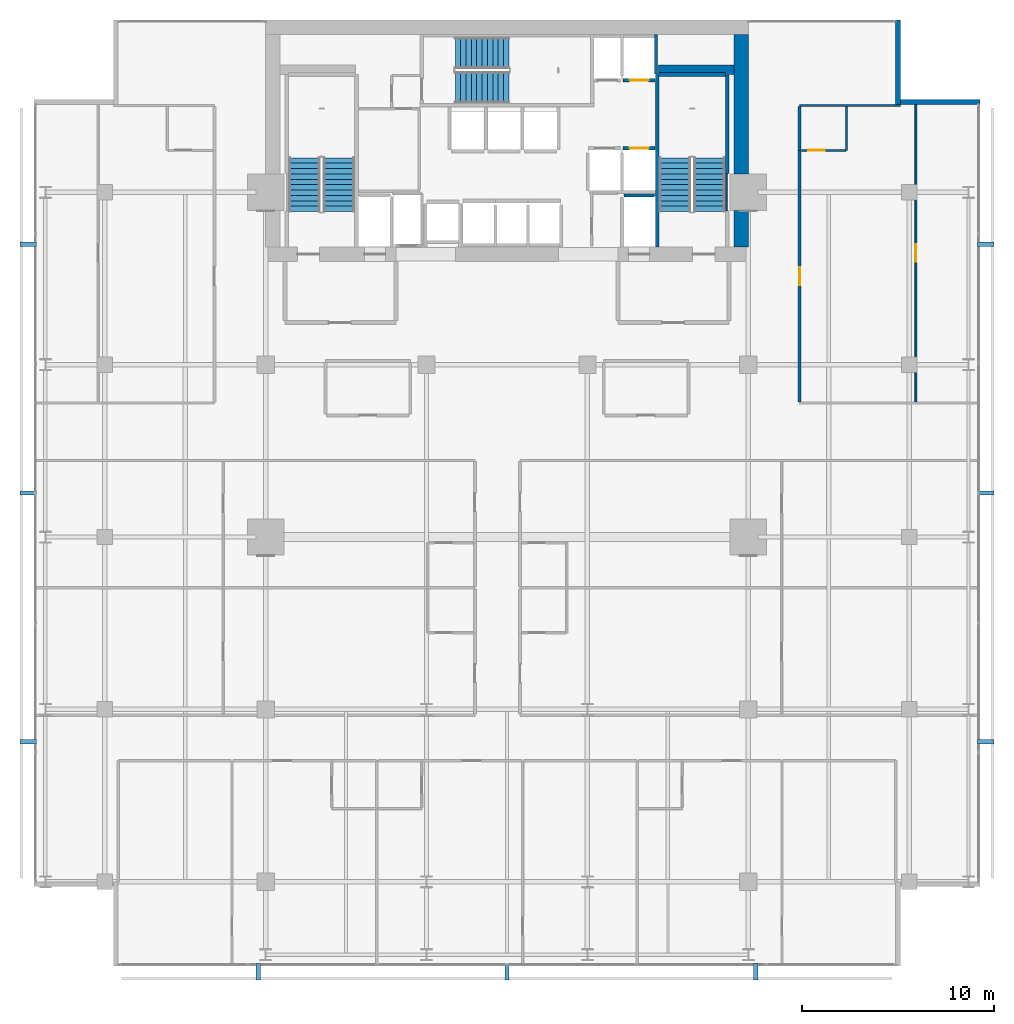
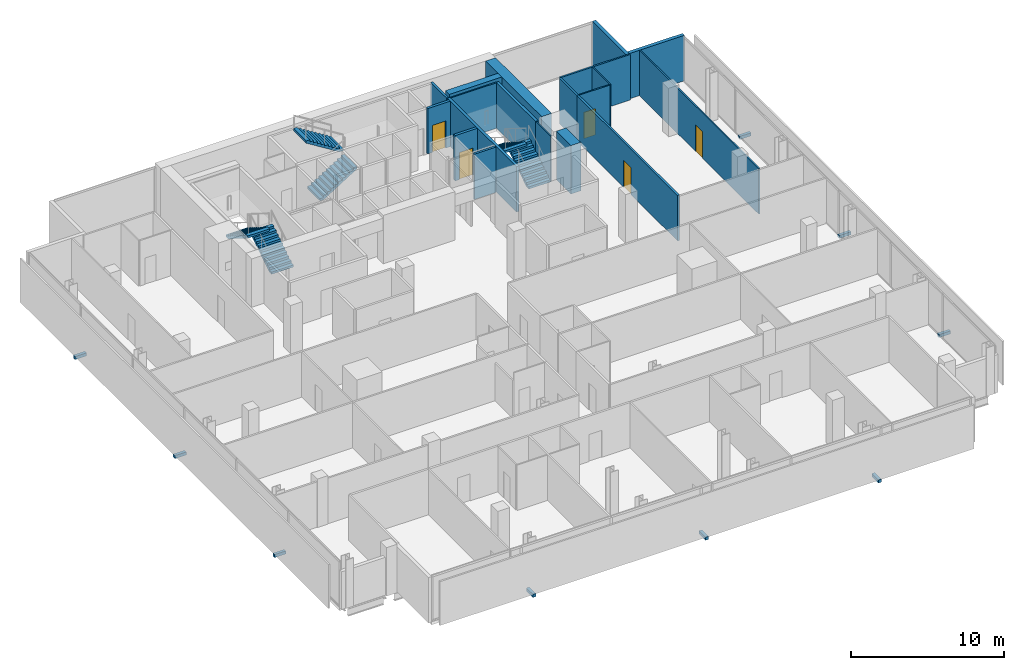
# One storey, part 30 of 32: 19 walls, 9 discrete accessories, 6 stair flights, 5 doors, 5 openings, 3 elements without a shape of their own.
"""IFC4 building model written with IfcOpenShell, lengths in metres."""

from ifc_helpers import new_model, si_unit, direction, frame, frame_2d, origin, origin_2d, place, context, subcontext, project, spatial, polyline, rectangle, outline, extrude, material, layer, layer_set, type_object, element, fill, aggregate, save


model = new_model("IFC4")

# Units and contexts
model_context = context("Model", 3, precision=1e-05, world=origin(), true_north=direction((0.0, 1.0)))
body_context = subcontext(model_context, "Body", "Model", "MODEL_VIEW")
ifc_project = project(units=[si_unit("LENGTHUNIT", "METRE"), si_unit("AREAUNIT", "SQUARE_METRE"), si_unit("VOLUMEUNIT", "CUBIC_METRE"), si_unit("PLANEANGLEUNIT", "RADIAN"), si_unit("MASSUNIT", "GRAM", prefix="KILO")], contexts=[model_context])

# Site, building, storey
site_placement = place(None, origin())
site = spatial("IfcSite", under=ifc_project, at=site_placement, CompositionType="ELEMENT")
building_placement = place(site_placement, origin())
building = spatial("IfcBuilding", under=site, at=building_placement, Name="Maruvema Waterfront Hotel and Observation Tower", CompositionType="ELEMENT")
storey_placement = place(building_placement, frame((0.0, 0.0, 165.89990234375)))
storey = spatial("IfcBuildingStorey", under=building, at=storey_placement, Name="L40", CompositionType="ELEMENT", Elevation=165.89990234375)

# Wall, opening, door
ifc_material_1 = material(Name="Twin-stud acoustic gypsum drywall", Category="gypsum")
ifc_layer_1 = layer(ifc_material_1, 0.14990234375, Name="Acoustic Corridor and Suite Demising Wall 150 mm")
ifc_layer_set_1 = layer_set([ifc_layer_1], Name="Twin-stud acoustic gypsum drywall")
wall_type_1 = type_object("IfcWallType", Name="Acoustic Corridor and Suite Demising Wall 150 mm", PredefinedType="PARTITIONING", material=ifc_layer_set_1)
wall_1_placement = place(storey_placement, frame((53.080078125, 34.06005859375, 0.0), z_axis=(0.0, 0.0, 1.0), x_axis=(0.0, 1.0, 0.0)))
wall_1 = element("IfcWall", 1, at=wall_1_placement, inside=storey, type_object=wall_type_1, Name="L40 Room L40-NE1 Corridor Wall 082", PredefinedType="PARTITIONING", context=body_context, shape_type="SweptSolid", body=[
    extrude(rectangle(XDim=13.12744140625, YDim=0.14990234375, at=frame_2d((6.563720703125, 0.0))), origin(), (0.0, 0.0, 1.0), 3.610107421875),
])
opening_1_placement = place(wall_1_placement, frame((6.088623046875, 0.0, 0.0)))
opening_1 = element("IfcOpeningElement", 2, at=opening_1_placement, cuts=wall_1, Name="Opening DR-095", PredefinedType="OPENING", context=body_context, shape_type="SweptSolid", body=[
    extrude(rectangle(XDim=0.949951171875, YDim=2.14990234375, at=frame_2d((0.47509765625, 1.074951171875))), frame((0.0, 0.0849609375, 0.0), z_axis=(0.0, -1.0, 0.0), x_axis=(1.0, 0.0, 0.0)), (0.0, 0.0, 1.0), 0.169921875),
])
ifc_material_2 = material(Name="Acoustic solid-core hardwood timber leaf", Category="wood")
door_type_1 = type_object("IfcDoorType", Name="Guestroom Entrance Fire Door 950x2150 mm", OperationType="NOTDEFINED", PredefinedType="DOOR", material=ifc_material_2)
door_1_placement = place(opening_1_placement, frame((0.949951171875, 0.0, 0.0), z_axis=(0.0, 0.0, 1.0), x_axis=(-1.0, 0.0, 0.0)))
door_1 = element("IfcDoor", 3, at=door_1_placement, inside=storey, type_object=door_type_1, Name="L40 Room L40-NE1 Entrance Door", OperationType="SINGLE_SWING_RIGHT", OverallHeight=2.14990234375, OverallWidth=0.949951171875, PredefinedType="DOOR", context=body_context, shape_type="SweptSolid", body=[
    extrude(rectangle(XDim=0.949951171875, YDim=2.14990234375, at=frame_2d((0.47509765625, 1.074951171875))), frame((0.0, 0.02490234375, 0.0), z_axis=(0.0, -1.0, 0.0), x_axis=(1.0, 0.0, 0.0)), (0.0, 0.0, 1.0), 0.050048828125),
])
fill(opening_1, door_1)

# Walls
wall_2_placement = place(storey_placement, frame((53.080078125, 47.1875, 0.0), z_axis=(0.0, 0.0, 1.0), x_axis=(0.0, 1.0, 0.0)))
element("IfcWall", 4, at=wall_2_placement, inside=storey, type_object=wall_type_1, Name="L40 Bath L40-NE1 Wall 083", PredefinedType="PARTITIONING", context=body_context, shape_type="SweptSolid", body=[
    extrude(rectangle(XDim=2.2900390625, YDim=0.14990234375, at=frame_2d((1.14501953125, 0.0))), origin(), (0.0, 0.0, 1.0), 3.610107421875),
])
ifc_material_3 = material(Name="Precast concrete C45/55", Category="concrete")
ifc_layer_2 = layer(ifc_material_3, 0.199951171875, Name="Core Shaft and Stairwell Enclosure Wall 200 mm")
ifc_layer_set_2 = layer_set([ifc_layer_2], Name="Precast concrete C45/55")
wall_type_2 = type_object("IfcWallType", Name="Core Shaft and Stairwell Enclosure Wall 200 mm", PredefinedType="SOLIDWALL", material=ifc_layer_set_2)
wall_3_placement = place(storey_placement, frame((45.64990234375, 42.14990234375, 0.0), z_axis=(0.0, 0.0, 1.0), x_axis=(0.0, 1.0, 0.0)))
element("IfcWall", 5, at=wall_3_placement, inside=storey, type_object=wall_type_2, Name="L40 Stairwell ST-03 West Shaft Wall", PredefinedType="SOLIDWALL", context=body_context, shape_type="SweptSolid", body=[
    extrude(rectangle(XDim=9.0, YDim=0.199951171875, at=frame_2d((4.5, 0.0))), origin(), (0.0, 0.0, 1.0), 3.610107421875),
])
wall_4_placement = place(storey_placement, frame((49.300048828125, 45.97998046875, 0.0), z_axis=(0.0, 0.0, 1.0), x_axis=(0.0, 1.0, 0.0)))
element("IfcWall", 6, at=wall_4_placement, inside=storey, type_object=wall_type_2, Name="L40 Stairwell ST-03 Shaft Lining Wall", PredefinedType="SOLIDWALL", context=body_context, shape_type="SweptSolid", body=[
    extrude(rectangle(XDim=5.14013671875, YDim=0.199951171875, at=frame_2d((2.570068359375, 0.0))), origin(), (0.0, 0.0, 1.0), 3.610107421875),
])
wall_5_placement = place(storey_placement, frame((45.719970703125, 51.14990234375, 0.0), z_axis=(0.0, 0.0, 1.0), x_axis=(1.0, 0.0, 0.0)))
element("IfcWall", 7, at=wall_5_placement, inside=storey, type_object=wall_type_2, Name="L40 Stairwell ST-03 Shaft Lining Wall", PredefinedType="SOLIDWALL", context=body_context, shape_type="SweptSolid", body=[
    extrude(rectangle(XDim=3.5, YDim=0.199951171875, at=frame_2d((1.75, 0.0))), origin(), (0.0, 0.0, 1.0), 3.610107421875),
])

# Wall, opening, door
wall_6_placement = place(storey_placement, frame((43.860107421875, 47.300048828125, 0.0), z_axis=(0.0, 0.0, 1.0), x_axis=(1.0, 0.0, 0.0)))
wall_6 = element("IfcWall", 8, at=wall_6_placement, inside=storey, type_object=wall_type_2, Name="L40 Lift LF-06 Hoistway Front Wall", PredefinedType="SOLIDWALL", context=body_context, shape_type="SweptSolid", body=[
    extrude(rectangle(XDim=1.679931640625, YDim=0.199951171875, at=frame_2d((0.83984375, 0.0))), origin(), (0.0, 0.0, 1.0), 3.610107421875),
])
opening_2_placement = place(wall_6_placement, frame((0.340087890625, 0.0, 0.0)))
opening_2 = element("IfcOpeningElement", 9, at=opening_2_placement, cuts=wall_6, Name="Opening LD-01", PredefinedType="OPENING", context=body_context, shape_type="SweptSolid", body=[
    extrude(rectangle(XDim=1.0, YDim=2.14990234375, at=frame_2d((0.5, 1.074951171875))), frame((0.0, 0.10986328125, 0.0), z_axis=(0.0, -1.0, 0.0), x_axis=(1.0, 0.0, 0.0)), (0.0, 0.0, 1.0), 0.219970703125),
])
ifc_material_4 = material(Name="Brushed stainless steel Grade 316", Category="steel")
door_type_2 = type_object("IfcDoorType", Name="Passenger Lift Sliding Landing Door 1000x2150 mm", OperationType="SLIDING_TO_LEFT", PredefinedType="DOOR", material=ifc_material_4)
door_2_placement = place(opening_2_placement, origin())
door_2 = element("IfcDoor", 10, at=door_2_placement, inside=storey, type_object=door_type_2, Name="L40 Lift LF-06 Sliding Landing Door", OperationType="SLIDING_TO_LEFT", OverallHeight=2.14990234375, OverallWidth=1.0, PredefinedType="DOOR", context=body_context, shape_type="SweptSolid", body=[
    extrude(rectangle(XDim=1.0, YDim=2.14990234375, at=frame_2d((0.5, 1.074951171875))), frame((0.0, 0.02490234375, 0.0), z_axis=(0.0, -1.0, 0.0), x_axis=(1.0, 0.0, 0.0)), (0.0, 0.0, 1.0), 0.050048828125),
])
fill(opening_2, door_2)

wall_7_placement = place(storey_placement, frame((43.860107421875, 50.85009765625, 0.0), z_axis=(0.0, 0.0, 1.0), x_axis=(1.0, 0.0, 0.0)))
wall_7 = element("IfcWall", 11, at=wall_7_placement, inside=storey, type_object=wall_type_2, Name="L40 Lift LF-08 Hoistway Front Wall", PredefinedType="SOLIDWALL", context=body_context, shape_type="SweptSolid", body=[
    extrude(rectangle(XDim=1.679931640625, YDim=0.199951171875, at=frame_2d((0.83984375, 0.0))), origin(), (0.0, 0.0, 1.0), 3.610107421875),
])
opening_3_placement = place(wall_7_placement, frame((0.340087890625, 0.0, 0.0)))
opening_3 = element("IfcOpeningElement", 12, at=opening_3_placement, cuts=wall_7, Name="Opening LD-01", PredefinedType="OPENING", context=body_context, shape_type="SweptSolid", body=[
    extrude(rectangle(XDim=1.0, YDim=2.14990234375, at=frame_2d((0.5, 1.074951171875))), frame((0.0, 0.10986328125, 0.0), z_axis=(0.0, -1.0, 0.0), x_axis=(1.0, 0.0, 0.0)), (0.0, 0.0, 1.0), 0.219970703125),
])
door_3_placement = place(opening_3_placement, frame((1.0, 0.0, 0.0), z_axis=(0.0, 0.0, 1.0), x_axis=(-1.0, 0.0, 0.0)))
door_3 = element("IfcDoor", 13, at=door_3_placement, inside=storey, type_object=door_type_2, Name="L40 Lift LF-08 Sliding Landing Door", OperationType="SLIDING_TO_LEFT", OverallHeight=2.14990234375, OverallWidth=1.0, PredefinedType="DOOR", context=body_context, shape_type="SweptSolid", body=[
    extrude(rectangle(XDim=1.0, YDim=2.14990234375, at=frame_2d((0.5, 1.074951171875))), frame((0.0, 0.02490234375, 0.0), z_axis=(0.0, -1.0, 0.0), x_axis=(1.0, 0.0, 0.0)), (0.0, 0.0, 1.0), 0.050048828125),
])
fill(opening_3, door_3)

# Walls
ifc_material_5 = material(Name="Concrete C70/85", Category="concrete")
ifc_layer_3 = layer(ifc_material_5, 0.5, Name="Core Shear Wall 500 mm")
ifc_layer_set_3 = layer_set([ifc_layer_3], Name="Concrete C70/85")
wall_type_3 = type_object("IfcWallType", Name="Core Shear Wall 500 mm", PredefinedType="SHEAR", material=ifc_layer_set_3)
wall_8_placement = place(storey_placement, frame((45.699951171875, 51.39990234375, 0.0), z_axis=(0.0, 0.0, 1.0), x_axis=(1.0, 0.0, 0.0)))
element("IfcWall", 14, at=wall_8_placement, inside=storey, type_object=wall_type_3, Name="L40 Internal Core Shear Wall NE 500 mm", PredefinedType="SHEAR", context=body_context, shape_type="SweptSolid", body=[
    extrude(rectangle(XDim=3.949951171875, YDim=0.5, at=frame_2d((1.97509765625, 0.0))), origin(), (0.0, 0.0, 1.0), 3.85009765625),
])
ifc_material_6 = material(Name="Concrete C70/85", Category="concrete")
ifc_layer_4 = layer(ifc_material_6, 0.75, Name="Core Shear Wall 750 mm")
ifc_layer_set_4 = layer_set([ifc_layer_4], Name="Concrete C70/85")
wall_type_4 = type_object("IfcWallType", Name="Core Shear Wall 750 mm", PredefinedType="SHEAR", material=ifc_layer_set_4)
wall_9_placement = place(storey_placement, frame((50.02490234375, 42.14990234375, 0.0), z_axis=(0.0, 0.0, 1.0), x_axis=(0.0, 1.0, 0.0)))
element("IfcWall", 15, at=wall_9_placement, inside=storey, type_object=wall_type_4, Name="L40 East-South Core Shear Wall", PredefinedType="SHEAR", context=body_context, shape_type="SweptSolid", body=[
    extrude(rectangle(XDim=1.900146484375, YDim=0.75, at=frame_2d((0.9501953125, 0.0))), origin(), (0.0, 0.0, 1.0), 3.85009765625),
])
wall_10_placement = place(storey_placement, frame((50.02490234375, 45.949951171875, 0.0), z_axis=(0.0, 0.0, 1.0), x_axis=(0.0, 1.0, 0.0)))
element("IfcWall", 16, at=wall_10_placement, inside=storey, type_object=wall_type_4, Name="L40 East-North Core Shear Wall", PredefinedType="SHEAR", context=body_context, shape_type="SweptSolid", body=[
    extrude(rectangle(XDim=7.300048828125, YDim=0.75, at=frame_2d((3.64990234375, 0.0))), origin(), (0.0, 0.0, 1.0), 3.85009765625),
])
ifc_material_7 = material(Name="Moisture-resistant cement-board drywall", Category="gypsum")
ifc_layer_5 = layer(ifc_material_7, 0.10009765625, Name="En-Suite Moisture-Resistant Partition 100 mm")
ifc_layer_set_5 = layer_set([ifc_layer_5], Name="Moisture-resistant cement-board drywall")
wall_type_5 = type_object("IfcWallType", Name="En-Suite Moisture-Resistant Partition 100 mm", PredefinedType="PARTITIONING", material=ifc_layer_set_5)
wall_11_placement = place(storey_placement, frame((55.530029296875, 47.1875, 0.0), z_axis=(0.0, 0.0, 1.0), x_axis=(0.0, 1.0, 0.0)))
element("IfcWall", 17, at=wall_11_placement, inside=storey, type_object=wall_type_5, Name="L40 En-Suite L40-NE1 E 084", PredefinedType="PARTITIONING", context=body_context, shape_type="SweptSolid", body=[
    extrude(rectangle(XDim=2.2900390625, YDim=0.10009765625, at=frame_2d((1.14501953125, 0.0))), origin(), (0.0, 0.0, 1.0), 3.610107421875),
])

# Wall, opening, door
wall_12_placement = place(storey_placement, frame((53.179931640625, 47.1875, 0.0), z_axis=(0.0, 0.0, 1.0), x_axis=(1.0, 0.0, 0.0)))
wall_12 = element("IfcWall", 18, at=wall_12_placement, inside=storey, type_object=wall_type_5, Name="L40 En-Suite L40-NE1 S 085", PredefinedType="PARTITIONING", context=body_context, shape_type="SweptSolid", body=[
    extrude(rectangle(XDim=2.300048828125, YDim=0.10009765625, at=frame_2d((1.14990234375, 0.0))), origin(), (0.0, 0.0, 1.0), 3.610107421875),
])
opening_4_placement = place(wall_12_placement, frame((0.35009765625, 0.0, 0.0)))
opening_4 = element("IfcOpeningElement", 19, at=opening_4_placement, cuts=wall_12, Name="Opening DR-085", PredefinedType="OPENING", context=body_context, shape_type="SweptSolid", body=[
    extrude(rectangle(XDim=0.85009765625, YDim=2.10009765625, at=frame_2d((0.425048828125, 1.050048828125))), frame((0.0, 0.06005859375, 0.0), z_axis=(0.0, -1.0, 0.0), x_axis=(1.0, 0.0, 0.0)), (0.0, 0.0, 1.0), 0.1201171875),
])
ifc_material_8 = material(Name="Moisture-resistant solid timber leaf", Category="wood")
door_type_3 = type_object("IfcDoorType", Name="En-Suite Bathroom Door 850x2100 mm", OperationType="NOTDEFINED", PredefinedType="DOOR", material=ifc_material_8)
door_4_placement = place(opening_4_placement, frame((0.85009765625, 0.0, 0.0), z_axis=(0.0, 0.0, 1.0), x_axis=(-1.0, 0.0, 0.0)))
door_4 = element("IfcDoor", 20, at=door_4_placement, inside=storey, type_object=door_type_3, Name="L40 En-Suite L40-NE1 Door", OperationType="SINGLE_SWING_LEFT", OverallHeight=2.10009765625, OverallWidth=0.85009765625, PredefinedType="DOOR", context=body_context, shape_type="SweptSolid", body=[
    extrude(rectangle(XDim=0.85009765625, YDim=2.10009765625, at=frame_2d((0.425048828125, 1.050048828125))), frame((0.0, 0.02490234375, 0.0), z_axis=(0.0, -1.0, 0.0), x_axis=(1.0, 0.0, 0.0)), (0.0, 0.0, 1.0), 0.050048828125),
])
fill(opening_4, door_4)

wall_13_placement = place(storey_placement, frame((59.154296875, 34.06005859375, 0.0), z_axis=(0.0, 0.0, 1.0), x_axis=(0.0, 1.0, 0.0)))
wall_13 = element("IfcWall", 21, at=wall_13_placement, inside=storey, type_object=wall_type_5, Name="L40 Suite L40-NE1 Split 086", PredefinedType="PARTITIONING", context=body_context, shape_type="SweptSolid", body=[
    extrude(rectangle(XDim=15.537353515625, YDim=0.10009765625, at=frame_2d((7.7685546875, 0.0))), origin(), (0.0, 0.0, 1.0), 3.610107421875),
])
opening_5_placement = place(wall_13_placement, frame((7.318603515625, 0.0, 0.0)))
opening_5 = element("IfcOpeningElement", 22, at=opening_5_placement, cuts=wall_13, Name="Opening DR-090", PredefinedType="OPENING", context=body_context, shape_type="SweptSolid", body=[
    extrude(rectangle(XDim=0.89990234375, YDim=2.10009765625, at=frame_2d((0.449951171875, 1.050048828125))), frame((0.0, 0.06005859375, 0.0), z_axis=(0.0, -1.0, 0.0), x_axis=(1.0, 0.0, 0.0)), (0.0, 0.0, 1.0), 0.1201171875),
])
ifc_material_9 = material(Name="Solid-core lacquered timber leaf", Category="wood")
door_type_4 = type_object("IfcDoorType", Name="Accessible Toilet and Room Door 900x2100 mm", OperationType="NOTDEFINED", PredefinedType="DOOR", material=ifc_material_9)
door_5_placement = place(opening_5_placement, frame((0.89990234375, 0.0, 0.0), z_axis=(0.0, 0.0, 1.0), x_axis=(-1.0, 0.0, 0.0)))
door_5 = element("IfcDoor", 23, at=door_5_placement, inside=storey, type_object=door_type_4, Name="L40 Suite L40-NE1 Bedroom Door", OperationType="SINGLE_SWING_LEFT", OverallHeight=2.10009765625, OverallWidth=0.89990234375, PredefinedType="DOOR", context=body_context, shape_type="SweptSolid", body=[
    extrude(rectangle(XDim=0.89990234375, YDim=2.10009765625, at=frame_2d((0.449951171875, 1.050048828125))), frame((0.0, 0.02490234375, 0.0), z_axis=(0.0, -1.0, 0.0), x_axis=(1.0, 0.0, 0.0)), (0.0, 0.0, 1.0), 0.050048828125),
])
fill(opening_5, door_5)

# Walls
ifc_material_10 = material(Name="Precast concrete C45/55 with honed Pernambuco granite facing", Category="masonry")
ifc_layer_6 = layer(ifc_material_10, 0.260009765625, Name="Exterior Granite Clad Spandrel and Pier Wall 260 mm")
ifc_layer_set_6 = layer_set([ifc_layer_6], Name="Precast concrete C45/55 with honed Pernambuco granite facing")
wall_type_6 = type_object("IfcWallType", Name="Exterior Granite Clad Spandrel and Pier Wall 260 mm", PredefinedType="SOLIDWALL", material=ifc_layer_set_6)
for number, where, z_axis, x_axis, name in (
    (24, (58.22998046875, 54.0, 0.0), (0.0, 0.0, 1.0), (0.0, -1.0, 0.0), "L40 Corner Notch Granite Pier Wall NE1"),
    (25, (58.10009765625, 49.72998046875, 0.0), (0.0, 0.0, 1.0), (1.0, 0.0, 0.0), "L40 Corner Notch Granite Pier Wall NE2"),
):
    element("IfcWall", number, at=place(storey_placement, frame(where, z_axis=z_axis, x_axis=x_axis)), inside=storey, type_object=wall_type_6, Name=name, PredefinedType="SOLIDWALL", context=body_context, shape_type="SweptSolid", body=[
        extrude(rectangle(XDim=4.39990234375, YDim=0.260009765625, at=frame_2d((2.199951171875, 0.0))), origin(), (0.0, 0.0, 1.0), 3.610107421875),
    ])
ifc_material_11 = material(Name="Acoustic gypsum plasterboard drywall", Category="gypsum")
ifc_layer_7 = layer(ifc_material_11, 0.125, Name="Guestroom Acoustic Demising Wall 125 mm")
ifc_layer_set_7 = layer_set([ifc_layer_7], Name="Acoustic gypsum plasterboard drywall")
wall_type_7 = type_object("IfcWallType", Name="Guestroom Acoustic Demising Wall 125 mm", PredefinedType="PARTITIONING", material=ifc_layer_set_7)
wall_14_placement = place(storey_placement, frame((53.080078125, 49.53759765625, 0.0), z_axis=(0.0, 0.0, 1.0), x_axis=(1.0, 0.0, 0.0)))
element("IfcWall", 26, at=wall_14_placement, inside=storey, type_object=wall_type_7, Name="L40 Z2 NE Top End 076", PredefinedType="PARTITIONING", context=body_context, shape_type="SweptSolid", body=[
    extrude(rectangle(XDim=5.280029296875, YDim=0.125, at=frame_2d((2.64013671875, 0.0))), origin(), (0.0, 0.0, 1.0), 3.610107421875),
])
ifc_material_12 = material(Name="Precast concrete C45/55", Category="concrete")
ifc_layer_8 = layer(ifc_material_12, 0.159912109375, Name="Lift Hoistway Divider Wall 160 mm")
ifc_layer_set_8 = layer_set([ifc_layer_8], Name="Precast concrete C45/55")
wall_type_8 = type_object("IfcWallType", Name="Lift Hoistway Divider Wall 160 mm", PredefinedType="SOLIDWALL", material=ifc_layer_set_8)
wall_15_placement = place(storey_placement, frame((43.89990234375, 44.830078125, 0.0), z_axis=(0.0, 0.0, 1.0), x_axis=(1.0, 0.0, 0.0)))
element("IfcWall", 27, at=wall_15_placement, inside=storey, type_object=wall_type_8, Name="L40 Lift FL-02 Rear Hoistway Wall", PredefinedType="SOLIDWALL", context=body_context, shape_type="SweptSolid", body=[
    extrude(rectangle(XDim=1.60009765625, YDim=0.159912109375, at=frame_2d((0.800048828125, 0.0))), origin(), (0.0, 0.0, 1.0), 3.610107421875),
])
wall_16_placement = place(storey_placement, frame((45.590087890625, 51.179931640625, 0.0), z_axis=(0.0, 0.0, 1.0), x_axis=(0.0, 1.0, 0.0)))
element("IfcWall", 28, at=wall_16_placement, inside=storey, type_object=wall_type_8, Name="L40 Hoistway Divider Wall", PredefinedType="SOLIDWALL", context=body_context, shape_type="SweptSolid", body=[
    extrude(rectangle(XDim=2.070068359375, YDim=0.159912109375, at=frame_2d((1.03515625, 0.0))), origin(), (0.0, 0.0, 1.0), 3.610107421875),
])
ifc_material_13 = material(Name="Precast concrete C45/55", Category="concrete")
ifc_layer_9 = layer(ifc_material_13, 0.10009765625, Name="Stairwell Stringer Cheek Wall 100 mm")
ifc_layer_set_9 = layer_set([ifc_layer_9], Name="Precast concrete C45/55")
wall_type_9 = type_object("IfcWallType", Name="Stairwell Stringer Cheek Wall 100 mm", PredefinedType="SOLIDWALL", material=ifc_layer_set_9)
wall_17_placement = place(storey_placement, frame((49.248046875, 44.0400390625, 0.0), z_axis=(0.0, 0.0, 1.0), x_axis=(0.0, 1.0, 0.0)))
element("IfcWall", 29, at=wall_17_placement, inside=storey, type_object=wall_type_9, Name="L40 Stairwell ST-03 Mega-Column Cheek Wall", PredefinedType="SOLIDWALL", context=body_context, shape_type="SweptSolid", body=[
    extrude(rectangle(XDim=1.919921875, YDim=0.10009765625, at=frame_2d((0.9599609375, 0.0))), origin(), (0.0, 0.0, 1.0), 3.610107421875),
])

# Stair, stair flights
ifc_material_14 = material(Name="Concrete C50/60", Category="concrete")
stair_type = type_object("IfcStairType", Name="Dogleg Exit Stair 1650 mm (22R x 175.0 mm)", PredefinedType="HALF_TURN_STAIR", material=ifc_material_14)
stair_1_placement = place(storey_placement, origin())
stair_1 = element("IfcStair", 30, at=stair_1_placement, inside=storey, type_object=stair_type, Name="L40 ST-01", PredefinedType="HALF_TURN_STAIR")
ifc_material_15 = material(Name="Concrete C50/60", Category="concrete")
stair_flight_type = type_object("IfcStairFlightType", Name="Reinforced Concrete Stair Flight 1650 mm (11R x 175.0 mm)", PredefinedType="STRAIGHT", material=ifc_material_15)
stair_flight_1_placement = place(storey_placement, frame((29.02490234375, 44.0, 0.0), z_axis=(0.0, 0.0, 1.0), x_axis=(0.0, 1.0, 0.0)))
stair_flight_1 = element("IfcStairFlight", 31, at=stair_flight_1_placement, type_object=stair_flight_type, Name="ST-01 flight 1", NumberOfRisers=11, NumberOfTreads=10, PredefinedType="STRAIGHT", RiserHeight=0.175, TreadLength=0.28, context=body_context, shape_type="SweptSolid", body=[
    extrude(outline(polyline([(0.0, 0.0), (0.0, 0.175048828125), (0.280029296875, 0.175048828125), (0.280029296875, 0.35009765625), (0.56005859375, 0.35009765625), (0.56005859375, 0.52490234375), (0.840087890625, 0.52490234375), (0.840087890625, 0.699951171875), (1.1201171875, 0.699951171875), (1.1201171875, 0.875), (1.39990234375, 0.875), (1.39990234375, 1.050048828125), (1.679931640625, 1.050048828125), (1.679931640625, 1.22509765625), (1.9599609375, 1.22509765625), (1.9599609375, 1.39990234375), (2.239990234375, 1.39990234375), (2.239990234375, 1.574951171875), (2.52001953125, 1.574951171875), (2.52001953125, 1.75), (2.800048828125, 1.75), (2.800048828125, 1.925048828125), (2.800048828125, 1.5732421875), (0.28271484375, 0.0), (0.0, 0.0)])), frame((0.0, 0.824951171875, 0.0), z_axis=(0.0, -1.0, 0.0), x_axis=(1.0, 0.0, 0.0)), (0.0, 0.0, 1.0), 1.64990234375),
])
stair_flight_2_placement = place(storey_placement, frame((27.22509765625, 46.800048828125, 1.925048828125), z_axis=(0.0, 0.0, 1.0), x_axis=(0.0, -1.0, 0.0)))
stair_flight_2 = element("IfcStairFlight", 32, at=stair_flight_2_placement, type_object=stair_flight_type, Name="ST-01 flight 2", NumberOfRisers=11, NumberOfTreads=10, PredefinedType="STRAIGHT", RiserHeight=0.175, TreadLength=0.28, context=body_context, shape_type="SweptSolid", body=[
    extrude(outline(polyline([(0.0, 0.0), (0.0, 0.175048828125), (0.280029296875, 0.175048828125), (0.280029296875, 0.35009765625), (0.56005859375, 0.35009765625), (0.56005859375, 0.52490234375), (0.840087890625, 0.52490234375), (0.840087890625, 0.699951171875), (1.1201171875, 0.699951171875), (1.1201171875, 0.875), (1.39990234375, 0.875), (1.39990234375, 1.050048828125), (1.679931640625, 1.050048828125), (1.679931640625, 1.22509765625), (1.9599609375, 1.22509765625), (1.9599609375, 1.39990234375), (2.239990234375, 1.39990234375), (2.239990234375, 1.574951171875), (2.52001953125, 1.574951171875), (2.52001953125, 1.75), (2.800048828125, 1.75), (2.800048828125, 1.925048828125), (2.800048828125, 1.5732421875), (0.28271484375, 0.0), (0.0, 0.0)])), frame((0.0, 0.824951171875, 0.0), z_axis=(0.0, -1.0, 0.0), x_axis=(1.0, 0.0, 0.0)), (0.0, 0.0, 1.0), 1.64990234375),
])
aggregate(stair_1, [stair_flight_1, stair_flight_2])

stair_2_placement = place(storey_placement, origin())
stair_2 = element("IfcStair", 33, at=stair_2_placement, inside=storey, type_object=stair_type, Name="L40 ST-02", PredefinedType="HALF_TURN_STAIR")
stair_flight_3_placement = place(storey_placement, frame((35.10009765625, 50.47509765625, 0.0), z_axis=(0.0, 0.0, 1.0), x_axis=(1.0, 0.0, 0.0)))
stair_flight_3 = element("IfcStairFlight", 34, at=stair_flight_3_placement, type_object=stair_flight_type, Name="ST-02 flight 1", NumberOfRisers=11, NumberOfTreads=10, PredefinedType="STRAIGHT", RiserHeight=0.175, TreadLength=0.28, context=body_context, shape_type="SweptSolid", body=[
    extrude(outline(polyline([(0.0, 0.0), (0.0, 0.175048828125), (0.280029296875, 0.175048828125), (0.280029296875, 0.35009765625), (0.56005859375, 0.35009765625), (0.56005859375, 0.52490234375), (0.840087890625, 0.52490234375), (0.840087890625, 0.699951171875), (1.1201171875, 0.699951171875), (1.1201171875, 0.875), (1.39990234375, 0.875), (1.39990234375, 1.050048828125), (1.679931640625, 1.050048828125), (1.679931640625, 1.22509765625), (1.9599609375, 1.22509765625), (1.9599609375, 1.39990234375), (2.239990234375, 1.39990234375), (2.239990234375, 1.574951171875), (2.52001953125, 1.574951171875), (2.52001953125, 1.75), (2.800048828125, 1.75), (2.800048828125, 1.925048828125), (2.800048828125, 1.5732421875), (0.28271484375, 0.0), (0.0, 0.0)])), frame((0.0, 0.824951171875, 0.0), z_axis=(0.0, -1.0, 0.0), x_axis=(1.0, 0.0, 0.0)), (0.0, 0.0, 1.0), 1.64990234375),
])
stair_flight_4_placement = place(storey_placement, frame((37.89990234375, 52.27490234375, 1.925048828125), z_axis=(0.0, 0.0, 1.0), x_axis=(-1.0, 0.0, 0.0)))
stair_flight_4 = element("IfcStairFlight", 35, at=stair_flight_4_placement, type_object=stair_flight_type, Name="ST-02 flight 2", NumberOfRisers=11, NumberOfTreads=10, PredefinedType="STRAIGHT", RiserHeight=0.175, TreadLength=0.28, context=body_context, shape_type="SweptSolid", body=[
    extrude(outline(polyline([(0.0, 0.0), (0.0, 0.175048828125), (0.280029296875, 0.175048828125), (0.280029296875, 0.35009765625), (0.56005859375, 0.35009765625), (0.56005859375, 0.52490234375), (0.840087890625, 0.52490234375), (0.840087890625, 0.699951171875), (1.1201171875, 0.699951171875), (1.1201171875, 0.875), (1.39990234375, 0.875), (1.39990234375, 1.050048828125), (1.679931640625, 1.050048828125), (1.679931640625, 1.22509765625), (1.9599609375, 1.22509765625), (1.9599609375, 1.39990234375), (2.239990234375, 1.39990234375), (2.239990234375, 1.574951171875), (2.52001953125, 1.574951171875), (2.52001953125, 1.75), (2.800048828125, 1.75), (2.800048828125, 1.925048828125), (2.800048828125, 1.5732421875), (0.28271484375, 0.0), (0.0, 0.0)])), frame((0.0, 0.824951171875, 0.0), z_axis=(0.0, -1.0, 0.0), x_axis=(1.0, 0.0, 0.0)), (0.0, 0.0, 1.0), 1.64990234375),
])
aggregate(stair_2, [stair_flight_3, stair_flight_4])

stair_3_placement = place(storey_placement, origin())
stair_3 = element("IfcStair", 36, at=stair_3_placement, inside=storey, type_object=stair_type, Name="L40 ST-03", PredefinedType="HALF_TURN_STAIR")
stair_flight_5_placement = place(storey_placement, frame((48.375, 44.0, 0.0), z_axis=(0.0, 0.0, 1.0), x_axis=(0.0, 1.0, 0.0)))
stair_flight_5 = element("IfcStairFlight", 37, at=stair_flight_5_placement, type_object=stair_flight_type, Name="ST-03 flight 1", NumberOfRisers=11, NumberOfTreads=10, PredefinedType="STRAIGHT", RiserHeight=0.175, TreadLength=0.28, context=body_context, shape_type="SweptSolid", body=[
    extrude(outline(polyline([(0.0, 0.0), (0.0, 0.175048828125), (0.280029296875, 0.175048828125), (0.280029296875, 0.35009765625), (0.56005859375, 0.35009765625), (0.56005859375, 0.52490234375), (0.840087890625, 0.52490234375), (0.840087890625, 0.699951171875), (1.1201171875, 0.699951171875), (1.1201171875, 0.875), (1.39990234375, 0.875), (1.39990234375, 1.050048828125), (1.679931640625, 1.050048828125), (1.679931640625, 1.22509765625), (1.9599609375, 1.22509765625), (1.9599609375, 1.39990234375), (2.239990234375, 1.39990234375), (2.239990234375, 1.574951171875), (2.52001953125, 1.574951171875), (2.52001953125, 1.75), (2.800048828125, 1.75), (2.800048828125, 1.925048828125), (2.800048828125, 1.5732421875), (0.28271484375, 0.0), (0.0, 0.0)])), frame((0.0, 0.824951171875, 0.0), z_axis=(0.0, -1.0, 0.0), x_axis=(1.0, 0.0, 0.0)), (0.0, 0.0, 1.0), 1.64990234375),
])
stair_flight_6_placement = place(storey_placement, frame((46.574951171875, 46.800048828125, 1.925048828125), z_axis=(0.0, 0.0, 1.0), x_axis=(0.0, -1.0, 0.0)))
stair_flight_6 = element("IfcStairFlight", 38, at=stair_flight_6_placement, type_object=stair_flight_type, Name="ST-03 flight 2", NumberOfRisers=11, NumberOfTreads=10, PredefinedType="STRAIGHT", RiserHeight=0.175, TreadLength=0.28, context=body_context, shape_type="SweptSolid", body=[
    extrude(outline(polyline([(0.0, 0.0), (0.0, 0.175048828125), (0.280029296875, 0.175048828125), (0.280029296875, 0.35009765625), (0.56005859375, 0.35009765625), (0.56005859375, 0.52490234375), (0.840087890625, 0.52490234375), (0.840087890625, 0.699951171875), (1.1201171875, 0.699951171875), (1.1201171875, 0.875), (1.39990234375, 0.875), (1.39990234375, 1.050048828125), (1.679931640625, 1.050048828125), (1.679931640625, 1.22509765625), (1.9599609375, 1.22509765625), (1.9599609375, 1.39990234375), (2.239990234375, 1.39990234375), (2.239990234375, 1.574951171875), (2.52001953125, 1.574951171875), (2.52001953125, 1.75), (2.800048828125, 1.75), (2.800048828125, 1.925048828125), (2.800048828125, 1.5732421875), (0.28271484375, 0.0), (0.0, 0.0)])), frame((0.0, 0.824951171875, 0.0), z_axis=(0.0, -1.0, 0.0), x_axis=(1.0, 0.0, 0.0)), (0.0, 0.0, 1.0), 1.64990234375),
])
aggregate(stair_3, [stair_flight_5, stair_flight_6])

# Discrete accessories
ifc_material_16 = material(Name="Duplex stainless steel Grade 2205", Category="steel")
discrete_accessory_type = type_object("IfcDiscreteAccessoryType", Name="Double-Skin Cavity Stainless Outrigger Bracket", PredefinedType="BRACKET", material=ifc_material_16)
for number, where, z_axis, x_axis, name in (
    (39, (24.80810546875, 4.300048828125, -0.14013671875), (0.0, 0.0, 1.0), (1.0, 0.0, 0.0), "L40 Outer Skin Support Bracket 1"),
    (40, (37.800048828125, 4.300048828125, -0.14013671875), (0.0, 0.0, 1.0), (1.0, 0.0, 0.0), "L40 Outer Skin Support Bracket 2"),
    (41, (50.7919921875, 4.300048828125, -0.14013671875), (0.0, 0.0, 1.0), (1.0, 0.0, 0.0), "L40 Outer Skin Support Bracket 3"),
    (42, (62.800048828125, 16.30810546875, -0.14013671875), (0.0, 0.0, 1.0), (0.0, 1.0, 0.0), "L40 Outer Skin Support Bracket 1"),
    (43, (62.800048828125, 29.300048828125, -0.14013671875), (0.0, 0.0, 1.0), (0.0, 1.0, 0.0), "L40 Outer Skin Support Bracket 2"),
    (44, (62.800048828125, 42.2919921875, -0.14013671875), (0.0, 0.0, 1.0), (0.0, 1.0, 0.0), "L40 Outer Skin Support Bracket 3"),
    (45, (12.800048828125, 42.2919921875, -0.14013671875), (0.0, 0.0, 1.0), (0.0, -1.0, 0.0), "L40 Outer Skin Support Bracket 1"),
    (46, (12.800048828125, 29.300048828125, -0.14013671875), (0.0, 0.0, 1.0), (0.0, -1.0, 0.0), "L40 Outer Skin Support Bracket 2"),
    (47, (12.800048828125, 16.30810546875, -0.14013671875), (0.0, 0.0, 1.0), (0.0, -1.0, 0.0), "L40 Outer Skin Support Bracket 3"),
):
    element("IfcDiscreteAccessory", number, at=place(storey_placement, frame(where, z_axis=z_axis, x_axis=x_axis)), inside=storey, type_object=discrete_accessory_type, Name=name, PredefinedType="BRACKET", context=body_context, shape_type="SweptSolid", body=[
        extrude(rectangle(XDim=0.219970703125, YDim=0.860107421875, at=origin_2d()), origin(), (0.0, 0.0, 1.0), 0.239990234375),
    ])

save(model, "model.ifc")
